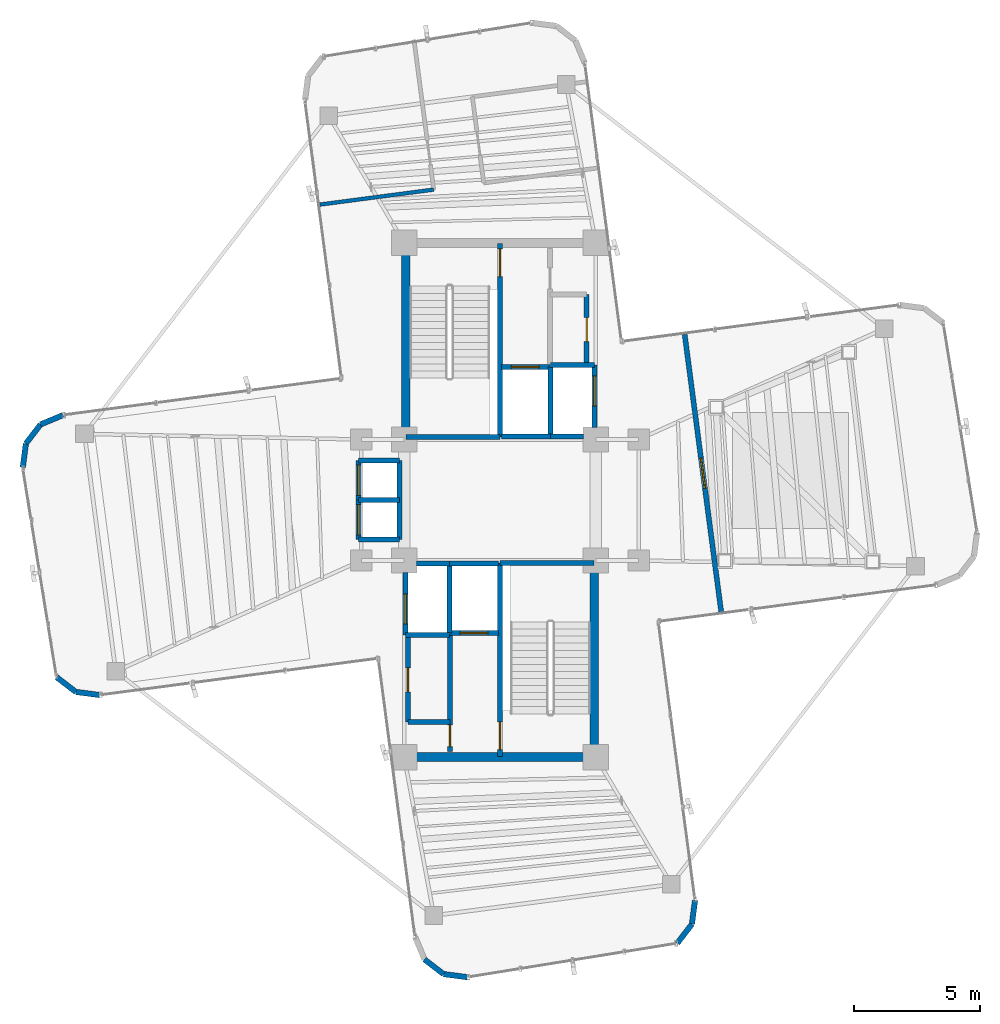
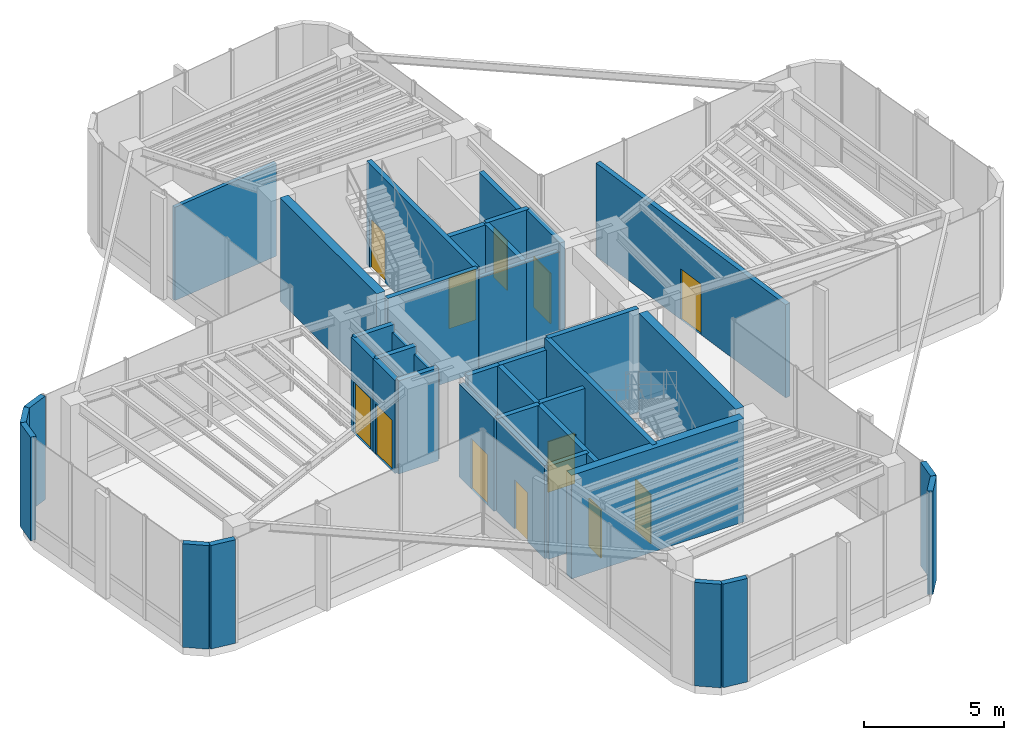
# One storey, part 14 of 16: 40 walls, 12 doors, 12 openings.
"""IFC4 building model written with IfcOpenShell, lengths in metres."""

import ifcopenshell
import ifcopenshell.guid

model = None  # the IFC model being written
_history = None  # IfcOwnerHistory: only IFC2X3 demands one
_inside = {}  # id of a spatial element -> (the spatial element, [elements in it])
_under = {}  # id of a project, library or spatial element -> (it, [spatial elements below it])
_declared = {}  # id of a project -> (the project, [libraries it declares])
_typed = {}  # id of a type object -> (the type object, [elements of that type])
_made_of = {}  # id of a material, layer set ... -> (it, [elements and type objects made of it])


def new_model(schema):
    """Start an empty IFC model of exactly this schema.

    Asked for "IFC4X3", IfcOpenShell would pick the latest addendum, in which some entities
    have other attributes; the version numbers below select the first issue.
    IFC2X3 requires an IfcOwnerHistory on every rooted entity: one is made here for all.
    """
    global model, _history
    if schema == "IFC4X3":
        model = ifcopenshell.file(schema_version=(4, 3, 0, 0))
    else:
        model = ifcopenshell.file(schema=schema)
    _inside.clear()
    _under.clear()
    _declared.clear()
    _typed.clear()
    _made_of.clear()
    _history = None
    if model.schema == "IFC2X3":
        org = make("IfcOrganization", Name="unknown")
        user = make(
            "IfcPersonAndOrganization",
            ThePerson=make("IfcPerson", FamilyName="unknown"),
            TheOrganization=org,
        )
        app = make(
            "IfcApplication",
            ApplicationDeveloper=org,
            Version="unknown",
            ApplicationFullName="unknown",
            ApplicationIdentifier="unknown",
        )
        _history = make(
            "IfcOwnerHistory",
            OwningUser=user,
            OwningApplication=app,
            ChangeAction="ADDED",
            CreationDate=0,
        )
    return model


def make(cls, **values):
    """One entity of the class cls with the attributes given. An attribute that is None is left unset."""
    return model.create_entity(
        cls, **{name: value for name, value in values.items() if value is not None}
    )


def rooted(cls, **values):
    """An entity with a GlobalId (a new one), such as an element, a storey or a relation."""
    return make(cls, GlobalId=ifcopenshell.guid.new(), OwnerHistory=_history, **values)


def si_unit(unit_type, name, prefix=None):
    """IfcSIUnit, for example si_unit("LENGTHUNIT", "METRE", prefix="MILLI")."""
    return make("IfcSIUnit", UnitType=unit_type, Prefix=prefix, Name=name)


def assignment(units):
    """IfcUnitAssignment: the units of a project."""
    return None if units is None else make("IfcUnitAssignment", Units=units)


def point(xyz):
    """IfcCartesianPoint."""
    return None if xyz is None else make("IfcCartesianPoint", Coordinates=xyz)


def direction(xyz):
    """IfcDirection."""
    return None if xyz is None else make("IfcDirection", DirectionRatios=xyz)


def frame(location, z_axis=None, x_axis=None):
    """IfcAxis2Placement3D, a coordinate frame: its origin and axes. An axis left out is left unset."""
    return make(
        "IfcAxis2Placement3D",
        Location=point(location),
        Axis=direction(z_axis),
        RefDirection=direction(x_axis),
    )


def frame_2d(location, x_axis=None):
    """IfcAxis2Placement2D, a coordinate frame in the plane: its origin and x axis."""
    return make(
        "IfcAxis2Placement2D", Location=point(location), RefDirection=direction(x_axis)
    )


def origin():
    """The frame at (0, 0, 0) with its axes left unset."""
    return frame((0.0, 0.0, 0.0))


def origin_2d():
    """The frame at (0, 0) in the plane with its x axis left unset."""
    return frame_2d((0.0, 0.0))


def place(relative_to, where):
    """IfcLocalPlacement: puts the frame where relative to a parent placement (None: the world)."""
    return make(
        "IfcLocalPlacement", PlacementRelTo=relative_to, RelativePlacement=where
    )


def context(
    kind, dimensions, precision=None, world=None, true_north=None, identifier=None
):
    """IfcGeometricRepresentationContext, for example the 3D "Model" context."""
    return make(
        "IfcGeometricRepresentationContext",
        ContextIdentifier=identifier,
        ContextType=kind,
        CoordinateSpaceDimension=dimensions,
        Precision=precision,
        WorldCoordinateSystem=world,
        TrueNorth=true_north,
    )


def subcontext(parent, identifier, kind, view, scale=None):
    """IfcGeometricRepresentationSubContext, for example "Body" below "Model"."""
    return make(
        "IfcGeometricRepresentationSubContext",
        ContextIdentifier=identifier,
        ContextType=kind,
        ParentContext=parent,
        TargetScale=scale,
        TargetView=view,
    )


def project(units=None, contexts=None):
    """IfcProject with its units and contexts."""
    return rooted(
        "IfcProject",
        Name="project",
        RepresentationContexts=contexts,
        UnitsInContext=assignment(units),
    )


def spatial(cls, under=None, at=None, **own):
    """A site, building, storey or space (cls), placed at a placement, below another one or the project."""
    s = rooted(cls, ObjectPlacement=at, **own)
    if under is not None:
        _under.setdefault(under.id(), (under, []))[1].append(s)
    return s


def profile(cls, at=None, kind="AREA", **sizes):
    """A parametric profile (cls). Its sizes go by their IFC names, for example OverallWidth=200.0."""
    return make(cls, ProfileType=kind, Position=at, **sizes)


def rectangle(**sizes):
    """IfcRectangleProfileDef."""
    return profile("IfcRectangleProfileDef", **sizes)


def extrude(swept, where, along, depth):
    """IfcExtrudedAreaSolid: the profile swept, set in the frame where, extruded along a direction by depth."""
    return make(
        "IfcExtrudedAreaSolid",
        SweptArea=swept,
        Position=where,
        ExtrudedDirection=direction(along),
        Depth=depth,
    )


def shape(context_of_items, identifier, shape_type, items):
    """IfcShapeRepresentation: the items that make up one representation, for example the "Body"."""
    return make(
        "IfcShapeRepresentation",
        ContextOfItems=context_of_items,
        RepresentationIdentifier=identifier,
        RepresentationType=shape_type,
        Items=items,
    )


def source(mapping_origin, context_of_items, identifier, shape_type, items):
    """IfcRepresentationMap: a shape defined once, which mapped items show again and again."""
    return make(
        "IfcRepresentationMap",
        MappingOrigin=mapping_origin,
        MappedRepresentation=shape(context_of_items, identifier, shape_type, items),
    )


def transform(
    local_origin,
    x_axis=None,
    y_axis=None,
    z_axis=None,
    scale=None,
    scale2=None,
    scale3=None,
    uniform=True,
):
    """IfcCartesianTransformationOperator3D, or its non-uniform kind. x_axis, y_axis, z_axis: its Axis1, 2, 3."""
    if uniform:
        return make(
            "IfcCartesianTransformationOperator3D",
            Axis1=direction(x_axis),
            Axis2=direction(y_axis),
            LocalOrigin=point(local_origin),
            Scale=scale,
            Axis3=direction(z_axis),
        )
    return make(
        "IfcCartesianTransformationOperator3DnonUniform",
        Axis1=direction(x_axis),
        Axis2=direction(y_axis),
        LocalOrigin=point(local_origin),
        Scale=scale,
        Axis3=direction(z_axis),
        Scale2=scale2,
        Scale3=scale3,
    )


def mapped(mapping_source, mapping_target):
    """IfcMappedItem: shows the shape of a source again, moved by a transform."""
    return make(
        "IfcMappedItem", MappingSource=mapping_source, MappingTarget=mapping_target
    )


def material(Name=None, Category=None):
    """IfcMaterial."""
    return make("IfcMaterial", Name=Name, Category=Category)


def layer(
    of_material, thickness, ventilated=None, Name=None, Category=None, Priority=None
):
    """IfcMaterialLayer: one layer of a wall or slab, of a material (None: an air gap)."""
    return make(
        "IfcMaterialLayer",
        Material=of_material,
        LayerThickness=thickness,
        IsVentilated=ventilated,
        Name=Name,
        Category=Category,
        Priority=Priority,
    )


def layer_set(layers, Name=None):
    """IfcMaterialLayerSet."""
    return make("IfcMaterialLayerSet", MaterialLayers=layers, LayerSetName=Name)


def made_of(thing, what):
    """Note that an element or type object is made of a material, layer set ...; save() writes the relation."""
    if what is not None:
        _made_of.setdefault(what.id(), (what, []))[1].append(thing)
    return thing


def type_object(cls, material=None, **own):
    """A type object (cls), such as IfcWallType, which elements share."""
    return made_of(rooted(cls, **own), material)


def element(
    cls,
    number,
    at=None,
    inside=None,
    cuts=None,
    type_object=None,
    material=None,
    context=None,
    identifier="Body",
    shape_type=None,
    held_by="IfcProductDefinitionShape",
    body=None,
    shapes=None,
    **own,
):
    """One element of the class cls, such as IfcWall. Its Tag is "e" and its number.

    at: its placement. inside: the storey or other place that contains it. cuts: it is an
    opening in that element (IfcRelVoidsElement). A single representation is given by context,
    identifier, shape_type and body (its items); several are given by shapes. held_by: the class
    of the entity that holds the representations. save() writes the other relations.
    """
    e = rooted(cls, Tag="e%d" % number, ObjectPlacement=at, **own)
    if body is not None:
        shapes = [shape(context, identifier, shape_type, body)]
    if shapes is not None:
        e.Representation = make(held_by, Representations=shapes)
    if inside is not None:
        _inside.setdefault(inside.id(), (inside, []))[1].append(e)
    if cuts is not None:
        rooted(
            "IfcRelVoidsElement", RelatingBuildingElement=cuts, RelatedOpeningElement=e
        )
    if type_object is not None:
        _typed.setdefault(type_object.id(), (type_object, []))[1].append(e)
    return made_of(e, material)


def fill(opening, filler):
    """IfcRelFillsElement: the door or window that sits in an opening."""
    return rooted(
        "IfcRelFillsElement",
        RelatingOpeningElement=opening,
        RelatedBuildingElement=filler,
    )


def aggregate(whole, parts):
    """IfcRelAggregates: a whole, such as a stair, and the parts it consists of."""
    return rooted("IfcRelAggregates", RelatingObject=whole, RelatedObjects=parts)


def save(model, path):
    """Write the relations noted so far, then the file.

    IfcRelAggregates (storeys below a building ...), IfcRelContainedInSpatialStructure (elements
    in a storey), IfcRelDefinesByType, IfcRelAssociatesMaterial and IfcRelDeclares: one each for
    every whole, place, type object, material and project.
    """
    for whole, parts in _under.values():
        aggregate(whole, parts)
    for where, things in _inside.values():
        rooted(
            "IfcRelContainedInSpatialStructure",
            RelatedElements=things,
            RelatingStructure=where,
        )
    for kind, things in _typed.values():
        rooted("IfcRelDefinesByType", RelatedObjects=things, RelatingType=kind)
    for what, things in _made_of.values():
        rooted("IfcRelAssociatesMaterial", RelatedObjects=things, RelatingMaterial=what)
    for by, libraries in _declared.values():
        rooted("IfcRelDeclares", RelatingContext=by, RelatedDefinitions=libraries)
    model.write(path)


model = new_model("IFC4")

# Units and contexts
model_context = context("Model", 3, precision=1e-05, world=origin(), true_north=direction((0.0, 1.0)))
body_context = subcontext(model_context, "Body", "Model", "MODEL_VIEW")
ifc_project = project(units=[si_unit("LENGTHUNIT", "METRE"), si_unit("AREAUNIT", "SQUARE_METRE"), si_unit("VOLUMEUNIT", "CUBIC_METRE"), si_unit("PLANEANGLEUNIT", "RADIAN"), si_unit("MASSUNIT", "GRAM", prefix="KILO")], contexts=[model_context])

# Site, building, storey
site_placement = place(None, origin())
site = spatial("IfcSite", under=ifc_project, at=site_placement, CompositionType="ELEMENT")
building_placement = place(site_placement, origin())
building = spatial("IfcBuilding", under=site, at=building_placement, Name="Sahyath Konkavel Grand Hotel", CompositionType="ELEMENT")
storey_placement = place(building_placement, frame((0.0, 0.0, 280.300048828125)))
storey = spatial("IfcBuildingStorey", under=building, at=storey_placement, Name="L78", CompositionType="ELEMENT", Elevation=280.300048828125)

# Walls
ifc_material_1 = material(Name="Concrete C40/50", Category="concrete")
ifc_layer_1 = layer(ifc_material_1, 0.35009765625)
ifc_layer_set_1 = layer_set([ifc_layer_1], Name="Concrete C40/50")
wall_type_1 = type_object("IfcWallType", Name="CWALL-350", PredefinedType="SHEAR", material=ifc_layer_set_1)
wall_1_placement = place(storey_placement, frame((-3.739990234375, 2.85009765625, 0.0), z_axis=(0.0, 0.0, 1.0), x_axis=(0.0, 1.0, 0.0)))
element("IfcWall", 1, at=wall_1_placement, inside=storey, type_object=wall_type_1, Name="L78 North Core Shear Wall W", PredefinedType="SHEAR", context=body_context, shape_type="SweptSolid", body=[
    extrude(rectangle(XDim=6.89990234375, YDim=0.35009765625, at=frame_2d((3.449951171875, 0.0))), origin(), (0.0, 0.0, 1.0), 4.5),
])
wall_2_placement = place(storey_placement, frame((-3.550048828125, -10.199951171875, 0.0), z_axis=(0.0, 0.0, 1.0), x_axis=(1.0, 0.0, 0.0)))
element("IfcWall", 2, at=wall_2_placement, inside=storey, type_object=wall_type_1, Name="L78 South Core Shear Wall S", PredefinedType="SHEAR", context=body_context, shape_type="SweptSolid", body=[
    extrude(rectangle(XDim=7.10009765625, YDim=0.35009765625, at=frame_2d((3.550048828125, 0.0))), origin(), (0.0, 0.0, 1.0), 4.5),
])
wall_3_placement = place(storey_placement, frame((3.739990234375, -9.75, 0.0), z_axis=(0.0, 0.0, 1.0), x_axis=(0.0, 1.0, 0.0)))
element("IfcWall", 3, at=wall_3_placement, inside=storey, type_object=wall_type_1, Name="L78 South Core Shear Wall E", PredefinedType="SHEAR", context=body_context, shape_type="SweptSolid", body=[
    extrude(rectangle(XDim=6.89990234375, YDim=0.35009765625, at=frame_2d((3.449951171875, 0.0))), origin(), (0.0, 0.0, 1.0), 4.5),
])
ifc_material_2 = material(Name="Warm Buff Sandstone Insulated Concrete C40/50", Category="masonry")
ifc_layer_2 = layer(ifc_material_2, 0.219970703125)
ifc_layer_set_2 = layer_set([ifc_layer_2], Name="Warm Buff Sandstone Insulated Concrete C40/50")
wall_type_2 = type_object("IfcWallType", Name="WLL-BALC-THRESH", PredefinedType="STANDARD", material=ifc_layer_set_2)
for number, where, z_axis, x_axis, name in (
    (4, (-17.337646484375, 3.36572265625, 0.0), (0.0, 0.0, 1.0), (-0.923889442397, -0.382659506909, 0.0), "L78 Rounded Corner Sandstone Pier 17"),
    (5, (-18.222412109375, 2.999267578125, 0.0), (0.0, 0.0, 1.0), (-0.608774010809, -0.793343685778, 0.0), "L78 Rounded Corner Sandstone Pier 18"),
    (6, (-18.805419921875, 2.239501953125, 0.0), (0.0, 0.0, 1.0), (-0.130527053476, -0.991444747987, 0.0), "L78 Rounded Corner Sandstone Pier 19"),
):
    element("IfcWall", number, at=place(storey_placement, frame(where, z_axis=z_axis, x_axis=x_axis)), inside=storey, type_object=wall_type_2, Name=name, PredefinedType="STANDARD", context=body_context, shape_type="SweptSolid", body=[
        extrude(rectangle(XDim=0.957763671875, YDim=0.219970703125, at=frame_2d((0.47900390625, 0.0))), origin(), (0.0, 0.0, 1.0), 4.5),
    ])
wall_4_placement = place(storey_placement, frame((-17.5849609375, -7.030517578125, 0.0), z_axis=(0.0, 0.0, 1.0), x_axis=(0.793466811674, -0.60861352168, 0.0)))
element("IfcWall", 7, at=wall_4_placement, inside=storey, type_object=wall_type_2, Name="L78 Rounded Corner Sandstone Pier 21", PredefinedType="STANDARD", context=body_context, shape_type="SweptSolid", body=[
    extrude(rectangle(XDim=0.95751953125, YDim=0.219970703125, at=frame_2d((0.478759765625, 0.0))), origin(), (0.0, 0.0, 1.0), 4.5),
])
for number, where, z_axis, x_axis, name in (
    (8, (-16.8251953125, -7.61328125, 0.0), (0.0, 0.0, 1.0), (0.991444747987, -0.130527053476, 0.0), "L78 Rounded Corner Sandstone Pier 22"),
    (9, (-2.999267578125, -18.222412109375, 0.0), (0.0, 0.0, 1.0), (0.793343685778, -0.608774010809, 0.0), "L78 Rounded Corner Sandstone Pier 26"),
    (10, (-2.239501953125, -18.805419921875, 0.0), (0.0, 0.0, 1.0), (0.991444747987, -0.130527053476, 0.0), "L78 Rounded Corner Sandstone Pier 27"),
):
    element("IfcWall", number, at=place(storey_placement, frame(where, z_axis=z_axis, x_axis=x_axis)), inside=storey, type_object=wall_type_2, Name=name, PredefinedType="STANDARD", context=body_context, shape_type="SweptSolid", body=[
        extrude(rectangle(XDim=0.957763671875, YDim=0.219970703125, at=frame_2d((0.47900390625, 0.0))), origin(), (0.0, 0.0, 1.0), 4.5),
    ])
wall_5_placement = place(storey_placement, frame((7.030517578125, -17.5849609375, 0.0), z_axis=(0.0, 0.0, 1.0), x_axis=(0.60861352168, 0.793466811674, 0.0)))
element("IfcWall", 11, at=wall_5_placement, inside=storey, type_object=wall_type_2, Name="L78 Rounded Corner Sandstone Pier 29", PredefinedType="STANDARD", context=body_context, shape_type="SweptSolid", body=[
    extrude(rectangle(XDim=0.95751953125, YDim=0.219970703125, at=frame_2d((0.478759765625, 0.0))), origin(), (0.0, 0.0, 1.0), 4.5),
])
wall_6_placement = place(storey_placement, frame((7.61328125, -16.8251953125, 0.0), z_axis=(0.0, 0.0, 1.0), x_axis=(0.130527053476, 0.991444747987, 0.0)))
element("IfcWall", 12, at=wall_6_placement, inside=storey, type_object=wall_type_2, Name="L78 Rounded Corner Sandstone Pier 30", PredefinedType="STANDARD", context=body_context, shape_type="SweptSolid", body=[
    extrude(rectangle(XDim=0.957763671875, YDim=0.219970703125, at=frame_2d((0.47900390625, 0.0))), origin(), (0.0, 0.0, 1.0), 4.5),
])

# Wall, opening, door
ifc_layer_3 = layer(ifc_material_1, 0.199951171875)
ifc_layer_set_3 = layer_set([ifc_layer_3], Name="Concrete C40/50")
wall_type_3 = type_object("IfcWallType", Name="WLL-CORE-200", PredefinedType="SOLIDWALL", material=ifc_layer_set_3)
wall_7_placement = place(storey_placement, frame((0.0, 2.5, 0.0), z_axis=(0.0, 0.0, 1.0), x_axis=(0.0, 1.0, 0.0)))
wall_7 = element("IfcWall", 13, at=wall_7_placement, inside=storey, type_object=wall_type_3, Name="L78 Stair ST-1 Shaft Wall E", PredefinedType="SOLIDWALL", context=body_context, shape_type="SweptSolid", body=[
    extrude(rectangle(XDim=7.679931640625, YDim=0.199951171875, at=frame_2d((3.83984375, 0.0))), origin(), (0.0, 0.0, 1.0), 4.5),
])
opening_1_placement = place(wall_7_placement, frame((6.360107421875, 0.0, 0.0)))
opening_1 = element("IfcOpeningElement", 14, at=opening_1_placement, cuts=wall_7, Name="Opening D-F12B", PredefinedType="OPENING", context=body_context, shape_type="SweptSolid", body=[
    extrude(rectangle(XDim=1.10009765625, YDim=2.14990234375, at=frame_2d((0.550048828125, 1.074951171875))), frame((0.0, 0.10986328125, 0.0), z_axis=(0.0, -1.0, 0.0), x_axis=(1.0, 0.0, 0.0)), (0.0, 0.0, 1.0), 0.219970703125),
])
ifc_material_3 = material(Name="Steel E350 Smokeproof Fire Door", Category="steel")
door_type_1 = type_object("IfcDoorType", Name="DR-FD120-1100", OperationType="NOTDEFINED", PredefinedType="DOOR", material=ifc_material_3)
shared_shape_1 = source(origin(), body_context, "Body", "SweptSolid", [
    extrude(rectangle(XDim=1.10009765625, YDim=0.050048828125, at=origin_2d()), origin(), (0.0, 0.0, 1.0), 2.14990234375),
])
door_1_placement = place(opening_1_placement, frame((0.550048828125, 0.0, 0.0)))
door_1 = element("IfcDoor", 15, at=door_1_placement, inside=storey, type_object=door_type_1, Name="L78 Stair ST-1 Fire Door", OperationType="SINGLE_SWING_RIGHT", OverallHeight=2.14990234375, OverallWidth=1.10009765625, PredefinedType="DOOR", context=body_context, shape_type="MappedRepresentation", body=[
    mapped(shared_shape_1, transform((0.0, 0.0, 0.0), scale=1.0)),
])
fill(opening_1, door_1)

# Wall
wall_8_placement = place(storey_placement, frame((-3.719970703125, 2.5, 0.0), z_axis=(0.0, 0.0, 1.0), x_axis=(1.0, 0.0, 0.0)))
element("IfcWall", 16, at=wall_8_placement, inside=storey, type_object=wall_type_3, Name="L78 Stair ST-1 Shaft Wall S", PredefinedType="SOLIDWALL", context=body_context, shape_type="SweptSolid", body=[
    extrude(rectangle(XDim=3.719970703125, YDim=0.199951171875, at=frame_2d((1.85986328125, 0.0))), origin(), (0.0, 0.0, 1.0), 4.5),
])

# Wall, opening, door
wall_9_placement = place(storey_placement, frame((0.0, -10.179931640625, 0.0), z_axis=(0.0, 0.0, 1.0), x_axis=(0.0, 1.0, 0.0)))
wall_9 = element("IfcWall", 17, at=wall_9_placement, inside=storey, type_object=wall_type_3, Name="L78 Stair ST-2 Shaft Wall W", PredefinedType="SOLIDWALL", context=body_context, shape_type="SweptSolid", body=[
    extrude(rectangle(XDim=7.679931640625, YDim=0.199951171875, at=frame_2d((3.83984375, 0.0))), origin(), (0.0, 0.0, 1.0), 4.5),
])
opening_2_placement = place(wall_9_placement, frame((0.280029296875, 0.0, 0.0)))
opening_2 = element("IfcOpeningElement", 18, at=opening_2_placement, cuts=wall_9, Name="Opening D-F12B", PredefinedType="OPENING", context=body_context, shape_type="SweptSolid", body=[
    extrude(rectangle(XDim=1.10009765625, YDim=2.14990234375, at=frame_2d((0.550048828125, 1.074951171875))), frame((0.0, 0.10986328125, 0.0), z_axis=(0.0, -1.0, 0.0), x_axis=(1.0, 0.0, 0.0)), (0.0, 0.0, 1.0), 0.219970703125),
])
door_2_placement = place(opening_2_placement, frame((0.550048828125, 0.0, 0.0)))
door_2 = element("IfcDoor", 19, at=door_2_placement, inside=storey, type_object=door_type_1, Name="L78 Stair ST-2 Fire Door", OperationType="SINGLE_SWING_LEFT", OverallHeight=2.14990234375, OverallWidth=1.10009765625, PredefinedType="DOOR", context=body_context, shape_type="MappedRepresentation", body=[
    mapped(shared_shape_1, transform((0.0, 0.0, 0.0), scale=1.0)),
])
fill(opening_2, door_2)

# Wall
wall_10_placement = place(storey_placement, frame((0.0, -2.5, 0.0), z_axis=(0.0, 0.0, 1.0), x_axis=(1.0, 0.0, 0.0)))
element("IfcWall", 20, at=wall_10_placement, inside=storey, type_object=wall_type_3, Name="L78 Stair ST-2 Shaft Wall N", PredefinedType="SOLIDWALL", context=body_context, shape_type="SweptSolid", body=[
    extrude(rectangle(XDim=3.719970703125, YDim=0.199951171875, at=frame_2d((1.85986328125, 0.0))), origin(), (0.0, 0.0, 1.0), 4.5),
])

# Wall, opening, door
wall_11_placement = place(storey_placement, frame((-1.97998046875, -9.97998046875, 0.0), z_axis=(0.0, 0.0, 1.0), x_axis=(0.0, 1.0, 0.0)))
wall_11 = element("IfcWall", 21, at=wall_11_placement, inside=storey, type_object=wall_type_3, Name="L78 South Firefighting Lobby Wall W", PredefinedType="SOLIDWALL", context=body_context, shape_type="SweptSolid", body=[
    extrude(rectangle(XDim=4.659912109375, YDim=0.199951171875, at=frame_2d((2.330078125, 0.0))), origin(), (0.0, 0.0, 1.0), 4.050048828125),
])
opening_3_placement = place(wall_11_placement, frame((0.199951171875, 0.0, 0.0)))
opening_3 = element("IfcOpeningElement", 22, at=opening_3_placement, cuts=wall_11, Name="Opening D-F12D", PredefinedType="OPENING", context=body_context, shape_type="SweptSolid", body=[
    extrude(rectangle(XDim=0.85009765625, YDim=2.10009765625, at=frame_2d((0.425048828125, 1.050048828125))), frame((0.0, 0.10986328125, 0.0), z_axis=(0.0, -1.0, 0.0), x_axis=(1.0, 0.0, 0.0)), (0.0, 0.0, 1.0), 0.219970703125),
])
ifc_material_4 = material(Name="Steel E350 Core Fire Door", Category="steel")
door_type_2 = type_object("IfcDoorType", Name="DR-FD120-850", OperationType="NOTDEFINED", PredefinedType="DOOR", material=ifc_material_4)
shared_shape_2 = source(origin(), body_context, "Body", "SweptSolid", [
    extrude(rectangle(XDim=0.85009765625, YDim=0.050048828125, at=origin_2d()), origin(), (0.0, 0.0, 1.0), 2.10009765625),
])
door_3_placement = place(opening_3_placement, frame((0.425048828125, 0.0, 0.0)))
door_3 = element("IfcDoor", 23, at=door_3_placement, inside=storey, type_object=door_type_2, Name="L78 South Firefighting Lobby Door", OperationType="SINGLE_SWING_LEFT", OverallHeight=2.10009765625, OverallWidth=0.85009765625, PredefinedType="DOOR", context=body_context, shape_type="MappedRepresentation", body=[
    mapped(shared_shape_2, transform((0.0, 0.0, 0.0), scale=1.0)),
])
fill(opening_3, door_3)

# Walls
wall_12_placement = place(storey_placement, frame((2.0, 2.5, 0.0), z_axis=(0.0, 0.0, 1.0), x_axis=(0.0, 1.0, 0.0)))
element("IfcWall", 24, at=wall_12_placement, inside=storey, type_object=wall_type_3, Name="L78 Partition SH-FFL1-E", PredefinedType="SOLIDWALL", context=body_context, shape_type="SweptSolid", body=[
    extrude(rectangle(XDim=2.780029296875, YDim=0.199951171875, at=frame_2d((1.39013671875, 0.0))), origin(), (0.0, 0.0, 1.0), 4.050048828125),
])
wall_13_placement = place(storey_placement, frame((0.050048828125, 2.52001953125, 0.0), z_axis=(0.0, 0.0, 1.0), x_axis=(1.0, 0.0, 0.0)))
element("IfcWall", 25, at=wall_13_placement, inside=storey, type_object=wall_type_3, Name="L78 Partition SH-FFL1-S", PredefinedType="SOLIDWALL", context=body_context, shape_type="SweptSolid", body=[
    extrude(rectangle(XDim=1.949951171875, YDim=0.199951171875, at=frame_2d((0.97509765625, 0.0))), origin(), (0.0, 0.0, 1.0), 4.050048828125),
])

# Wall, opening, door
wall_14_placement = place(storey_placement, frame((0.050048828125, 5.280029296875, 0.0), z_axis=(0.0, 0.0, 1.0), x_axis=(1.0, 0.0, 0.0)))
wall_14 = element("IfcWall", 26, at=wall_14_placement, inside=storey, type_object=wall_type_3, Name="L78 Partition SH-FFL1-N", PredefinedType="SOLIDWALL", context=body_context, shape_type="SweptSolid", body=[
    extrude(rectangle(XDim=1.929931640625, YDim=0.199951171875, at=frame_2d((0.96484375, 0.0))), origin(), (0.0, 0.0, 1.0), 4.050048828125),
])
opening_4_placement = place(wall_14_placement, frame((0.39990234375, 0.0, 0.0)))
opening_4 = element("IfcOpeningElement", 27, at=opening_4_placement, cuts=wall_14, Name="Opening LD-11", PredefinedType="OPENING", context=body_context, shape_type="SweptSolid", body=[
    extrude(rectangle(XDim=1.10009765625, YDim=2.199951171875, at=frame_2d((0.550048828125, 1.10009765625))), frame((0.0, 0.10986328125, 0.0), z_axis=(0.0, -1.0, 0.0), x_axis=(1.0, 0.0, 0.0)), (0.0, 0.0, 1.0), 0.219970703125),
])
ifc_material_5 = material(Name="Bronze Lift Landing Door 1100")
door_type_3 = type_object("IfcDoorType", Name="DR-LIFT-1100", OperationType="DOUBLE_DOOR_SLIDING", PredefinedType="DOOR", material=ifc_material_5)
shared_shape_3 = source(origin(), body_context, "Body", "SweptSolid", [
    extrude(rectangle(XDim=1.10009765625, YDim=0.050048828125, at=origin_2d()), origin(), (0.0, 0.0, 1.0), 2.199951171875),
])
door_4_placement = place(opening_4_placement, frame((0.550048828125, 0.0, 0.0)))
door_4 = element("IfcDoor", 28, at=door_4_placement, inside=storey, type_object=door_type_3, Name="L78 Lift FFL-1 Landing Door", OperationType="DOUBLE_DOOR_SLIDING", OverallHeight=2.199951171875, OverallWidth=1.10009765625, PredefinedType="DOOR", context=body_context, shape_type="MappedRepresentation", body=[
    mapped(shared_shape_3, transform((0.0, 0.0, 0.0), scale=1.0)),
])
fill(opening_4, door_4)

# Walls
wall_15_placement = place(storey_placement, frame((-2.0, -5.280029296875, 0.0), z_axis=(0.0, 0.0, 1.0), x_axis=(0.0, 1.0, 0.0)))
element("IfcWall", 29, at=wall_15_placement, inside=storey, type_object=wall_type_3, Name="L78 Partition SH-FFL2-W", PredefinedType="SOLIDWALL", context=body_context, shape_type="SweptSolid", body=[
    extrude(rectangle(XDim=2.780029296875, YDim=0.199951171875, at=frame_2d((1.39013671875, 0.0))), origin(), (0.0, 0.0, 1.0), 4.050048828125),
])
wall_16_placement = place(storey_placement, frame((-2.0, -2.52001953125, 0.0), z_axis=(0.0, 0.0, 1.0), x_axis=(1.0, 0.0, 0.0)))
element("IfcWall", 30, at=wall_16_placement, inside=storey, type_object=wall_type_3, Name="L78 Partition SH-FFL2-N", PredefinedType="SOLIDWALL", context=body_context, shape_type="SweptSolid", body=[
    extrude(rectangle(XDim=1.949951171875, YDim=0.199951171875, at=frame_2d((0.97509765625, 0.0))), origin(), (0.0, 0.0, 1.0), 4.050048828125),
])

# Wall, opening, door
wall_17_placement = place(storey_placement, frame((-1.97998046875, -5.280029296875, 0.0), z_axis=(0.0, 0.0, 1.0), x_axis=(1.0, 0.0, 0.0)))
wall_17 = element("IfcWall", 31, at=wall_17_placement, inside=storey, type_object=wall_type_3, Name="L78 Partition SH-FFL2-S", PredefinedType="SOLIDWALL", context=body_context, shape_type="SweptSolid", body=[
    extrude(rectangle(XDim=1.929931640625, YDim=0.199951171875, at=frame_2d((0.96484375, 0.0))), origin(), (0.0, 0.0, 1.0), 4.050048828125),
])
opening_5_placement = place(wall_17_placement, frame((0.39990234375, 0.0, 0.0)))
opening_5 = element("IfcOpeningElement", 32, at=opening_5_placement, cuts=wall_17, Name="Opening LD-11", PredefinedType="OPENING", context=body_context, shape_type="SweptSolid", body=[
    extrude(rectangle(XDim=1.10009765625, YDim=2.199951171875, at=frame_2d((0.550048828125, 1.10009765625))), frame((0.0, 0.10986328125, 0.0), z_axis=(0.0, -1.0, 0.0), x_axis=(1.0, 0.0, 0.0)), (0.0, 0.0, 1.0), 0.219970703125),
])
door_5_placement = place(opening_5_placement, frame((0.550048828125, 0.0, 0.0)))
door_5 = element("IfcDoor", 33, at=door_5_placement, inside=storey, type_object=door_type_3, Name="L78 Lift FFL-2 Landing Door", OperationType="DOUBLE_DOOR_SLIDING", OverallHeight=2.199951171875, OverallWidth=1.10009765625, PredefinedType="DOOR", context=body_context, shape_type="MappedRepresentation", body=[
    mapped(shared_shape_3, transform((0.0, 0.0, 0.0), scale=1.0)),
])
fill(opening_5, door_5)

# Walls
wall_18_placement = place(storey_placement, frame((2.0, 2.52001953125, 0.0), z_axis=(0.0, 0.0, 1.0), x_axis=(1.0, 0.0, 0.0)))
element("IfcWall", 34, at=wall_18_placement, inside=storey, type_object=wall_type_3, Name="L78 Partition SH-SVL1-S", PredefinedType="SOLIDWALL", context=body_context, shape_type="SweptSolid", body=[
    extrude(rectangle(XDim=1.320068359375, YDim=0.199951171875, at=frame_2d((0.66015625, 0.0))), origin(), (0.0, 0.0, 1.0), 4.050048828125),
])
wall_19_placement = place(storey_placement, frame((2.0, 5.360107421875, 0.0), z_axis=(0.0, 0.0, 1.0), x_axis=(1.0, 0.0, 0.0)))
element("IfcWall", 35, at=wall_19_placement, inside=storey, type_object=wall_type_3, Name="L78 Partition SH-SVL1-N", PredefinedType="SOLIDWALL", context=body_context, shape_type="SweptSolid", body=[
    extrude(rectangle(XDim=1.739990234375, YDim=0.199951171875, at=frame_2d((0.8701171875, 0.0))), origin(), (0.0, 0.0, 1.0), 4.050048828125),
])

# Wall, opening, door
wall_20_placement = place(storey_placement, frame((3.739990234375, 2.8798828125, 0.0), z_axis=(0.0, 0.0, 1.0), x_axis=(0.0, 1.0, 0.0)))
wall_20 = element("IfcWall", 36, at=wall_20_placement, inside=storey, type_object=wall_type_3, Name="L78 Partition SH-SVL1-E", PredefinedType="SOLIDWALL", context=body_context, shape_type="SweptSolid", body=[
    extrude(rectangle(XDim=2.480224609375, YDim=0.199951171875, at=frame_2d((1.240234375, 0.0))), origin(), (0.0, 0.0, 1.0), 4.050048828125),
])
opening_6_placement = place(wall_20_placement, frame((0.840087890625, 0.0, 0.0)))
opening_6 = element("IfcOpeningElement", 37, at=opening_6_placement, cuts=wall_20, Name="Opening LD-12", PredefinedType="OPENING", context=body_context, shape_type="SweptSolid", body=[
    extrude(rectangle(XDim=1.199951171875, YDim=2.199951171875, at=frame_2d((0.60009765625, 1.10009765625))), frame((0.0, 0.10986328125, 0.0), z_axis=(0.0, -1.0, 0.0), x_axis=(1.0, 0.0, 0.0)), (0.0, 0.0, 1.0), 0.219970703125),
])
ifc_material_6 = material(Name="Stainless Steel Lift Landing Door 1200", Category="steel")
door_type_4 = type_object("IfcDoorType", Name="DR-LIFT-1200", OperationType="DOUBLE_DOOR_SLIDING", PredefinedType="DOOR", material=ifc_material_6)
shared_shape_4 = source(origin(), body_context, "Body", "SweptSolid", [
    extrude(rectangle(XDim=1.199951171875, YDim=0.050048828125, at=origin_2d()), origin(), (0.0, 0.0, 1.0), 2.199951171875),
])
door_6_placement = place(opening_6_placement, frame((0.60009765625, 0.0, 0.0)))
door_6 = element("IfcDoor", 38, at=door_6_placement, inside=storey, type_object=door_type_4, Name="L78 Service Lift SVL-1 Landing Door", OperationType="DOUBLE_DOOR_SLIDING", OverallHeight=2.199951171875, OverallWidth=1.199951171875, PredefinedType="DOOR", context=body_context, shape_type="MappedRepresentation", body=[
    mapped(shared_shape_4, transform((0.0, 0.0, 0.0), scale=1.0)),
])
fill(opening_6, door_6)

# Walls
wall_21_placement = place(storey_placement, frame((-3.320068359375, -2.52001953125, 0.0), z_axis=(0.0, 0.0, 1.0), x_axis=(1.0, 0.0, 0.0)))
element("IfcWall", 39, at=wall_21_placement, inside=storey, type_object=wall_type_3, Name="L78 Partition SH-SVL2-N", PredefinedType="SOLIDWALL", context=body_context, shape_type="SweptSolid", body=[
    extrude(rectangle(XDim=1.320068359375, YDim=0.199951171875, at=frame_2d((0.66015625, 0.0))), origin(), (0.0, 0.0, 1.0), 4.050048828125),
])
wall_22_placement = place(storey_placement, frame((-3.739990234375, -5.360107421875, 0.0), z_axis=(0.0, 0.0, 1.0), x_axis=(1.0, 0.0, 0.0)))
element("IfcWall", 40, at=wall_22_placement, inside=storey, type_object=wall_type_3, Name="L78 Partition SH-SVL2-S", PredefinedType="SOLIDWALL", context=body_context, shape_type="SweptSolid", body=[
    extrude(rectangle(XDim=1.739990234375, YDim=0.199951171875, at=frame_2d((0.8701171875, 0.0))), origin(), (0.0, 0.0, 1.0), 4.050048828125),
])

# Wall, opening, door
wall_23_placement = place(storey_placement, frame((-3.739990234375, -5.360107421875, 0.0), z_axis=(0.0, 0.0, 1.0), x_axis=(0.0, 1.0, 0.0)))
wall_23 = element("IfcWall", 41, at=wall_23_placement, inside=storey, type_object=wall_type_3, Name="L78 Partition SH-SVL2-W", PredefinedType="SOLIDWALL", context=body_context, shape_type="SweptSolid", body=[
    extrude(rectangle(XDim=2.480224609375, YDim=0.199951171875, at=frame_2d((1.240234375, 0.0))), origin(), (0.0, 0.0, 1.0), 4.050048828125),
])
opening_7_placement = place(wall_23_placement, frame((0.43994140625, 0.0, 0.0)))
opening_7 = element("IfcOpeningElement", 42, at=opening_7_placement, cuts=wall_23, Name="Opening LD-12", PredefinedType="OPENING", context=body_context, shape_type="SweptSolid", body=[
    extrude(rectangle(XDim=1.199951171875, YDim=2.199951171875, at=frame_2d((0.60009765625, 1.10009765625))), frame((0.0, 0.10986328125, 0.0), z_axis=(0.0, -1.0, 0.0), x_axis=(1.0, 0.0, 0.0)), (0.0, 0.0, 1.0), 0.219970703125),
])
door_7_placement = place(opening_7_placement, frame((0.60009765625, 0.0, 0.0)))
door_7 = element("IfcDoor", 43, at=door_7_placement, inside=storey, type_object=door_type_4, Name="L78 Service Lift SVL-2 Landing Door", OperationType="DOUBLE_DOOR_SLIDING", OverallHeight=2.199951171875, OverallWidth=1.199951171875, PredefinedType="DOOR", context=body_context, shape_type="MappedRepresentation", body=[
    mapped(shared_shape_4, transform((0.0, 0.0, 0.0), scale=1.0)),
])
fill(opening_7, door_7)

# Walls
wall_24_placement = place(storey_placement, frame((-3.97998046875, -1.56005859375, 0.0), z_axis=(0.0, 0.0, 1.0), x_axis=(0.0, 1.0, 0.0)))
element("IfcWall", 44, at=wall_24_placement, inside=storey, type_object=wall_type_3, Name="L78 Partition SH-SL12-E", PredefinedType="SOLIDWALL", context=body_context, shape_type="SweptSolid", body=[
    extrude(rectangle(XDim=3.1201171875, YDim=0.199951171875, at=frame_2d((1.56005859375, 0.0))), origin(), (0.0, 0.0, 1.0), 3.719970703125),
])
for number, where, z_axis, x_axis, name in (
    (45, (-5.6201171875, 1.56005859375, 0.0), (0.0, 0.0, 1.0), (1.0, 0.0, 0.0), "L78 Partition SH-SL12-N"),
    (46, (-5.6201171875, -1.56005859375, 0.0), (0.0, 0.0, 1.0), (1.0, 0.0, 0.0), "L78 Partition SH-SL12-S"),
    (47, (-5.6201171875, 0.0, 0.0), (0.0, 0.0, 1.0), (1.0, 0.0, 0.0), "L78 Partition SH-SL12-M"),
):
    element("IfcWall", number, at=place(storey_placement, frame(where, z_axis=z_axis, x_axis=x_axis)), inside=storey, type_object=wall_type_3, Name=name, PredefinedType="SOLIDWALL", context=body_context, shape_type="SweptSolid", body=[
        extrude(rectangle(XDim=1.64013671875, YDim=0.199951171875, at=frame_2d((0.820068359375, 0.0))), origin(), (0.0, 0.0, 1.0), 4.050048828125),
    ])

# Wall, opening, door
wall_25_placement = place(storey_placement, frame((-5.6201171875, 0.0, 0.0), z_axis=(0.0, 0.0, 1.0), x_axis=(0.0, 1.0, 0.0)))
wall_25 = element("IfcWall", 48, at=wall_25_placement, inside=storey, type_object=wall_type_3, Name="L78 Partition SH-SL1-W", PredefinedType="SOLIDWALL", context=body_context, shape_type="SweptSolid", body=[
    extrude(rectangle(XDim=1.56005859375, YDim=0.199951171875, at=frame_2d((0.780029296875, 0.0))), origin(), (0.0, 0.0, 1.0), 4.050048828125),
])
opening_8_placement = place(wall_25_placement, frame((0.179931640625, 0.0, 0.0)))
opening_8 = element("IfcOpeningElement", 49, at=opening_8_placement, cuts=wall_25, Name="Opening LD-12", PredefinedType="OPENING", context=body_context, shape_type="SweptSolid", body=[
    extrude(rectangle(XDim=1.199951171875, YDim=2.199951171875, at=frame_2d((0.60009765625, 1.10009765625))), frame((0.0, 0.10986328125, 0.0), z_axis=(0.0, -1.0, 0.0), x_axis=(1.0, 0.0, 0.0)), (0.0, 0.0, 1.0), 0.219970703125),
])
door_8_placement = place(opening_8_placement, frame((0.60009765625, 0.0, 0.0)))
door_8 = element("IfcDoor", 50, at=door_8_placement, inside=storey, type_object=door_type_4, Name="L78 Express Shuttle SL-1 Landing Door", OperationType="DOUBLE_DOOR_SLIDING", OverallHeight=2.199951171875, OverallWidth=1.199951171875, PredefinedType="DOOR", context=body_context, shape_type="MappedRepresentation", body=[
    mapped(shared_shape_4, transform((0.0, 0.0, 0.0), scale=1.0)),
])
fill(opening_8, door_8)

wall_26_placement = place(storey_placement, frame((-5.6201171875, -1.56005859375, 0.0), z_axis=(0.0, 0.0, 1.0), x_axis=(0.0, 1.0, 0.0)))
wall_26 = element("IfcWall", 51, at=wall_26_placement, inside=storey, type_object=wall_type_3, Name="L78 Partition SH-SL2-W", PredefinedType="SOLIDWALL", context=body_context, shape_type="SweptSolid", body=[
    extrude(rectangle(XDim=1.56005859375, YDim=0.199951171875, at=frame_2d((0.780029296875, 0.0))), origin(), (0.0, 0.0, 1.0), 4.050048828125),
])
opening_9_placement = place(wall_26_placement, frame((0.179931640625, 0.0, 0.0)))
opening_9 = element("IfcOpeningElement", 52, at=opening_9_placement, cuts=wall_26, Name="Opening LD-12", PredefinedType="OPENING", context=body_context, shape_type="SweptSolid", body=[
    extrude(rectangle(XDim=1.199951171875, YDim=2.199951171875, at=frame_2d((0.60009765625, 1.10009765625))), frame((0.0, 0.10986328125, 0.0), z_axis=(0.0, -1.0, 0.0), x_axis=(1.0, 0.0, 0.0)), (0.0, 0.0, 1.0), 0.219970703125),
])
door_9_placement = place(opening_9_placement, frame((0.60009765625, 0.0, 0.0)))
door_9 = element("IfcDoor", 53, at=door_9_placement, inside=storey, type_object=door_type_4, Name="L78 Express Shuttle SL-2 Landing Door", OperationType="DOUBLE_DOOR_SLIDING", OverallHeight=2.199951171875, OverallWidth=1.199951171875, PredefinedType="DOOR", context=body_context, shape_type="MappedRepresentation", body=[
    mapped(shared_shape_4, transform((0.0, 0.0, 0.0), scale=1.0)),
])
fill(opening_9, door_9)

wall_27_placement = place(storey_placement, frame((3.43994140625, 5.3798828125, 0.0), z_axis=(0.0, 0.0, 1.0), x_axis=(0.0, 1.0, 0.0)))
wall_27 = element("IfcWall", 54, at=wall_27_placement, inside=storey, type_object=wall_type_3, Name="L78 Reclaimed North Core Wall E", PredefinedType="SOLIDWALL", context=body_context, shape_type="SweptSolid", body=[
    extrude(rectangle(XDim=2.77001953125, YDim=0.199951171875, at=frame_2d((1.385009765625, 0.0))), origin(), (0.0, 0.0, 1.0), 4.050048828125),
])
opening_10_placement = place(wall_27_placement, frame((0.89990234375, 0.0, 0.0)))
opening_10 = element("IfcOpeningElement", 55, at=opening_10_placement, cuts=wall_27, Name="Opening D-F06B", PredefinedType="OPENING", context=body_context, shape_type="SweptSolid", body=[
    extrude(rectangle(XDim=0.949951171875, YDim=2.14990234375, at=frame_2d((0.47509765625, 1.074951171875))), frame((0.0, 0.10986328125, 0.0), z_axis=(0.0, -1.0, 0.0), x_axis=(1.0, 0.0, 0.0)), (0.0, 0.0, 1.0), 0.219970703125),
])
ifc_material_7 = material(Name="Teak Veneer Fire-Rated Guest Entrance Door")
door_type_5 = type_object("IfcDoorType", Name="DR-FD60-950", OperationType="NOTDEFINED", PredefinedType="DOOR", material=ifc_material_7)
shared_shape_5 = source(origin(), body_context, "Body", "SweptSolid", [
    extrude(rectangle(XDim=0.949951171875, YDim=0.050048828125, at=origin_2d()), origin(), (0.0, 0.0, 1.0), 2.14990234375),
])
door_10_placement = place(opening_10_placement, frame((0.47509765625, 0.0, 0.0)))
door_10 = element("IfcDoor", 56, at=door_10_placement, inside=storey, type_object=door_type_5, Name="L78 Door NC-REC1-D", OperationType="SINGLE_SWING_RIGHT", OverallHeight=2.14990234375, OverallWidth=0.949951171875, PredefinedType="DOOR", context=body_context, shape_type="MappedRepresentation", body=[
    mapped(shared_shape_5, transform((0.0, 0.0, 0.0), scale=1.0)),
])
fill(opening_10, door_10)

wall_28_placement = place(storey_placement, frame((-3.64990234375, -8.81005859375, 0.0), z_axis=(0.0, 0.0, 1.0), x_axis=(0.0, 1.0, 0.0)))
wall_28 = element("IfcWall", 57, at=wall_28_placement, inside=storey, type_object=wall_type_3, Name="L78 Reclaimed South Core Wall W", PredefinedType="SOLIDWALL", context=body_context, shape_type="SweptSolid", body=[
    extrude(rectangle(XDim=3.43017578125, YDim=0.199951171875, at=frame_2d((1.715087890625, 0.0))), origin(), (0.0, 0.0, 1.0), 4.050048828125),
])
opening_11_placement = place(wall_28_placement, frame((1.199951171875, 0.0, 0.0)))
opening_11 = element("IfcOpeningElement", 58, at=opening_11_placement, cuts=wall_28, Name="Opening D-AC95", PredefinedType="OPENING", context=body_context, shape_type="SweptSolid", body=[
    extrude(rectangle(XDim=0.949951171875, YDim=2.14990234375, at=frame_2d((0.47509765625, 1.074951171875))), frame((0.0, 0.10986328125, 0.0), z_axis=(0.0, -1.0, 0.0), x_axis=(1.0, 0.0, 0.0)), (0.0, 0.0, 1.0), 0.219970703125),
])
ifc_material_8 = material(Name="Accessible Washroom Timber Door", Category="wood")
door_type_6 = type_object("IfcDoorType", Name="DR-ACC-950", OperationType="NOTDEFINED", PredefinedType="DOOR", material=ifc_material_8)
door_11_placement = place(opening_11_placement, frame((0.47509765625, 0.0, 0.0)))
door_11 = element("IfcDoor", 59, at=door_11_placement, inside=storey, type_object=door_type_6, Name="L78 Door SC-REC1-D", OperationType="SINGLE_SWING_LEFT", OverallHeight=2.14990234375, OverallWidth=0.949951171875, PredefinedType="DOOR", context=body_context, shape_type="MappedRepresentation", body=[
    mapped(shared_shape_5, transform((0.0, 0.0, 0.0), scale=1.0)),
])
fill(opening_11, door_11)

# Wall
wall_29_placement = place(storey_placement, frame((-3.64990234375, -8.81005859375, 0.0), z_axis=(0.0, 0.0, 1.0), x_axis=(1.0, 0.0, 0.0)))
element("IfcWall", 60, at=wall_29_placement, inside=storey, type_object=wall_type_3, Name="L78 Partition SC-REC-S", PredefinedType="SOLIDWALL", context=body_context, shape_type="SweptSolid", body=[
    extrude(rectangle(XDim=1.669921875, YDim=0.199951171875, at=frame_2d((0.8349609375, 0.0))), origin(), (0.0, 0.0, 1.0), 4.050048828125),
])

# Wall, opening, door
wall_30_placement = place(storey_placement, frame((8.77490234375, -4.442626953125, 0.0), z_axis=(0.0, 0.0, 1.0), x_axis=(-0.130515390239, 0.991446283422, 0.0)))
wall_30 = element("IfcWall", 61, at=wall_30_placement, inside=storey, type_object=wall_type_3, Name="L78 Partition L78-TMD-W", PredefinedType="SOLIDWALL", context=body_context, shape_type="SweptSolid", body=[
    extrude(rectangle(XDim=11.10009765625, YDim=0.199951171875, at=frame_2d((5.550048828125, 0.0))), origin(), (0.0, 0.0, 1.0), 4.050048828125),
])
opening_12_placement = place(wall_30_placement, frame((4.949951171875, 0.0, 0.0)))
opening_12 = element("IfcOpeningElement", 62, at=opening_12_placement, cuts=wall_30, Name="Opening D-F12A", PredefinedType="OPENING", context=body_context, shape_type="SweptSolid", body=[
    extrude(rectangle(XDim=1.199951171875, YDim=2.199951171875, at=frame_2d((0.60009765625, 1.10009765625))), frame((0.0, 0.10986328125, 0.0), z_axis=(0.0, -1.0, 0.0), x_axis=(1.0, 0.0, 0.0)), (0.0, 0.0, 1.0), 0.219970703125),
])
ifc_material_9 = material(Name="Steel E350 Fire Door", Category="steel")
door_type_7 = type_object("IfcDoorType", Name="DR-FD120-1200", OperationType="NOTDEFINED", PredefinedType="DOOR", material=ifc_material_9)
door_12_placement = place(opening_12_placement, frame((0.60009765625, 0.0, 0.0)))
door_12 = element("IfcDoor", 63, at=door_12_placement, inside=storey, type_object=door_type_7, Name="L78 Door L78-TMD-D", OperationType="SINGLE_SWING_RIGHT", OverallHeight=2.199951171875, OverallWidth=1.199951171875, PredefinedType="DOOR", context=body_context, shape_type="MappedRepresentation", body=[
    mapped(shared_shape_4, transform((0.0, 0.0, 0.0), scale=1.0)),
])
fill(opening_12, door_12)

# Wall
ifc_material_10 = material(Name="Fire-Rated Gypsum Plasterboard Partition")
ifc_layer_4 = layer(ifc_material_10, 0.14990234375)
ifc_layer_set_4 = layer_set([ifc_layer_4], Name="Fire-Rated Gypsum Plasterboard Partition")
wall_type_4 = type_object("IfcWallType", Name="WLL-PART-150", PredefinedType="PARTITIONING", material=ifc_layer_set_4)
wall_31_placement = place(storey_placement, frame((-2.62939453125, 12.31201171875, 0.0), z_axis=(0.0, 0.0, 1.0), x_axis=(-0.991449546596, -0.130490599487, 0.0)))
element("IfcWall", 64, at=wall_31_placement, inside=storey, type_object=wall_type_4, Name="L78 Partition L78-CTRL-S", PredefinedType="PARTITIONING", context=body_context, shape_type="SweptSolid", body=[
    extrude(rectangle(XDim=4.550048828125, YDim=0.14990234375, at=frame_2d((2.27490234375, 0.0))), origin(), (0.0, 0.0, 1.0), 4.050048828125),
])

save(model, "model.ifc")
